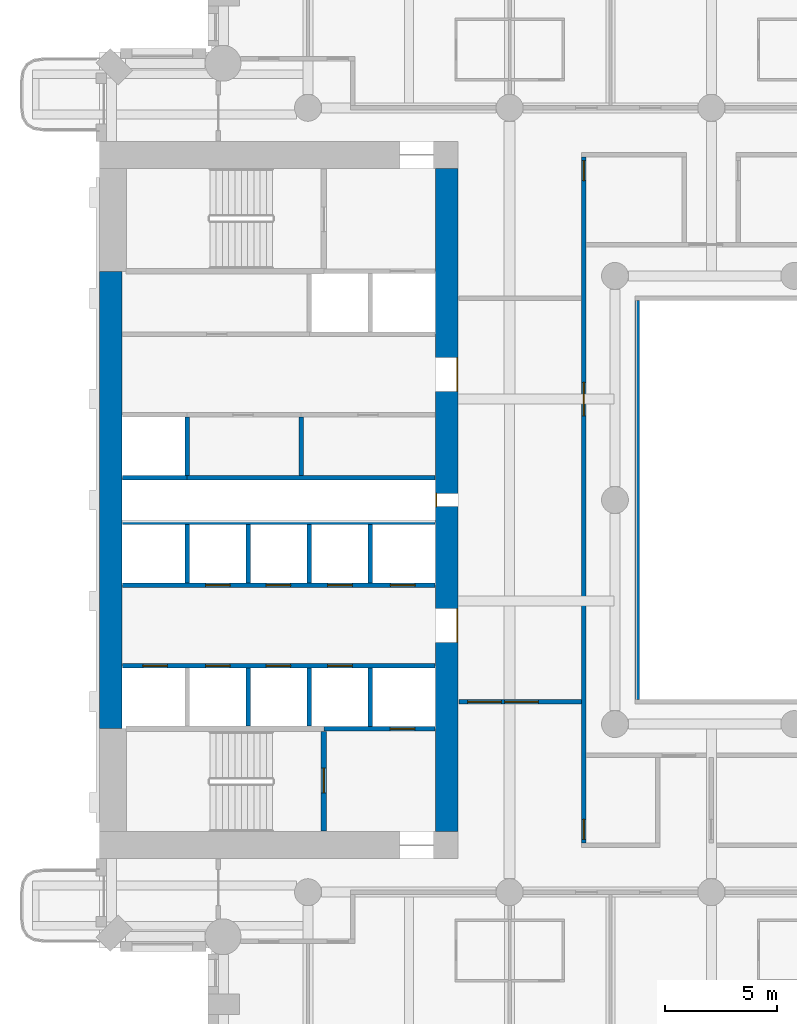
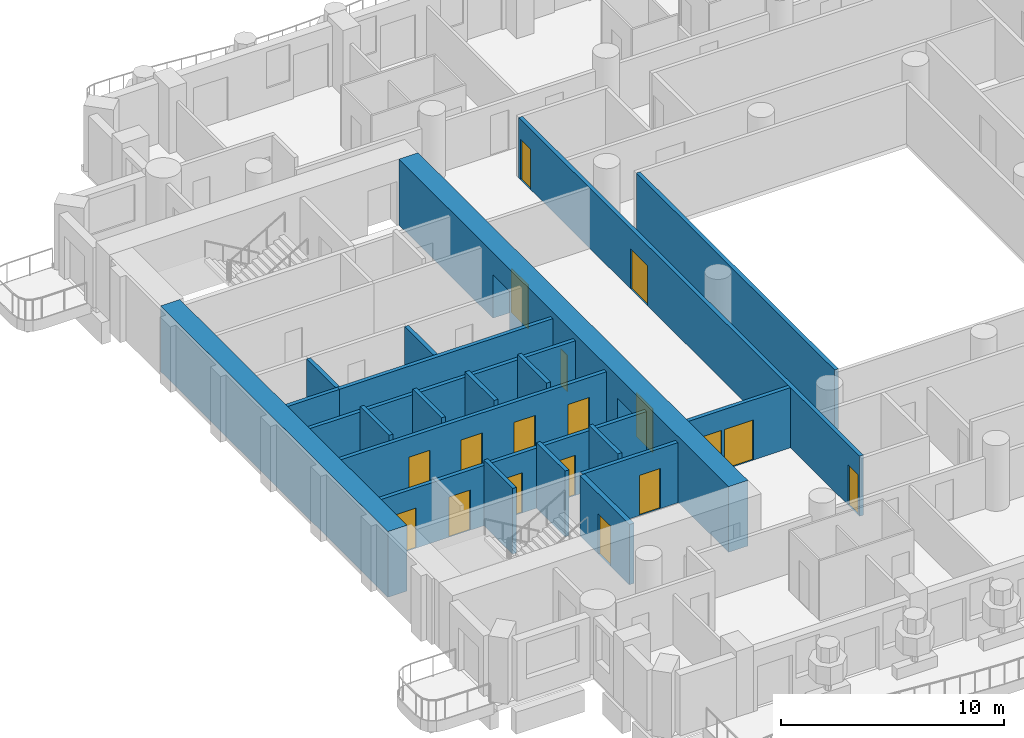
# One storey, part 4 of 20: 21 walls, 18 doors, 18 openings.
"""IFC4 building model written with IfcOpenShell, lengths in metres."""

from ifc_helpers import new_model, si_unit, direction, frame, frame_2d, origin, place, context, subcontext, project, spatial, rectangle, extrude, material, layer, layer_set, type_object, element, fill, save


model = new_model("IFC4")

# Units and contexts
model_context = context("Model", 3, precision=1e-05, world=origin(), true_north=direction((0.0, 1.0)))
body_context = subcontext(model_context, "Body", "Model", "MODEL_VIEW")
ifc_project = project(units=[si_unit("LENGTHUNIT", "METRE"), si_unit("AREAUNIT", "SQUARE_METRE"), si_unit("VOLUMEUNIT", "CUBIC_METRE"), si_unit("PLANEANGLEUNIT", "RADIAN"), si_unit("MASSUNIT", "GRAM", prefix="KILO")], contexts=[model_context])

# Site, building, storey
site_placement = place(None, origin())
site = spatial("IfcSite", under=ifc_project, at=site_placement, CompositionType="ELEMENT")
building_placement = place(site_placement, origin())
building = spatial("IfcBuilding", under=site, at=building_placement, Name="Cypress Arch Tower", CompositionType="ELEMENT")
storey_placement = place(building_placement, frame((0.0, 0.0, 59.10009765625)))
storey = spatial("IfcBuildingStorey", under=building, at=storey_placement, Name="L08", CompositionType="ELEMENT", Elevation=59.10009765625)

# Wall, openings, doors
ifc_material_1 = material(Name="Concrete C80/95", Category="concrete")
ifc_layer_1 = layer(ifc_material_1, 1.0)
ifc_layer_set_1 = layer_set([ifc_layer_1], Name="Core wall CW1000 C80/95")
wall_type_1 = type_object("IfcWallType", Name="Core wall CW1000 C80/95", PredefinedType="SHEAR", material=ifc_layer_set_1)
wall_1_placement = place(storey_placement, frame((-14.5, -14.800048828125, 0.0), z_axis=(0.0, 0.0, 1.0), x_axis=(0.0, 1.0, 0.0)))
wall_1 = element("IfcWall", 1, at=wall_1_placement, inside=storey, type_object=wall_type_1, Name="Core wall", PredefinedType="SHEAR", context=body_context, shape_type="SweptSolid", body=[
    extrude(rectangle(XDim=29.60009765625, YDim=1.0, at=frame_2d((14.800048828125, 0.0))), origin(), (0.0, 0.0, 1.0), 3.599853515625),
])
opening_1_placement = place(wall_1_placement, frame((8.449951171875, 0.0, 0.0)))
opening_1 = element("IfcOpeningElement", 2, at=opening_1_placement, cuts=wall_1, Name="Opening D07", PredefinedType="OPENING", context=body_context, shape_type="SweptSolid", body=[
    extrude(rectangle(XDim=1.5, YDim=2.39990234375, at=frame_2d((0.75, 1.199951171875))), frame((0.0, 0.510009765625, 0.0), z_axis=(0.0, -1.0, 0.0), x_axis=(1.0, 0.0, 0.0)), (0.0, 0.0, 1.0), 1.02001953125),
])
opening_2_placement = place(wall_1_placement, frame((19.64990234375, 0.0, 0.0)))
opening_2 = element("IfcOpeningElement", 3, at=opening_2_placement, cuts=wall_1, Name="Opening D07", PredefinedType="OPENING", context=body_context, shape_type="SweptSolid", body=[
    extrude(rectangle(XDim=1.5, YDim=2.39990234375, at=frame_2d((0.75, 1.199951171875))), frame((0.0, 0.510009765625, 0.0), z_axis=(0.0, -1.0, 0.0), x_axis=(1.0, 0.0, 0.0)), (0.0, 0.0, 1.0), 1.02001953125),
])
opening_3_placement = place(wall_1_placement, frame((14.5, 0.0, 0.0)))
opening_3 = element("IfcOpeningElement", 4, at=opening_3_placement, cuts=wall_1, Name="Opening D08", PredefinedType="OPENING", context=body_context, shape_type="SweptSolid", body=[
    extrude(rectangle(XDim=0.60009765625, YDim=2.0, at=frame_2d((0.300048828125, 1.0))), frame((0.0, 0.510009765625, 0.0), z_axis=(0.0, -1.0, 0.0), x_axis=(1.0, 0.0, 0.0)), (0.0, 0.0, 1.0), 1.02001953125),
])
ifc_material_2 = material(Name="Steel framed glazed door, fire resisting", Category="steel")
door_type_1 = type_object("IfcDoorType", Name="Lobby door D07 1500x2400", OperationType="DOUBLE_DOOR_SINGLE_SWING", PredefinedType="DOOR", material=ifc_material_2)
door_1_placement = place(opening_1_placement, origin())
door_1 = element("IfcDoor", 5, at=door_1_placement, inside=storey, type_object=door_type_1, Name="Lobby door", OperationType="DOUBLE_DOOR_SINGLE_SWING", OverallHeight=2.39990234375, OverallWidth=1.5, PredefinedType="DOOR", context=body_context, shape_type="SweptSolid", body=[
    extrude(rectangle(XDim=1.5, YDim=2.39990234375, at=frame_2d((0.75, 1.199951171875))), frame((0.0, -0.44482421875, 0.0), z_axis=(0.0, -1.0, 0.0), x_axis=(1.0, 0.0, 0.0)), (0.0, 0.0, 1.0), 0.050048828125),
])
fill(opening_1, door_1)
door_2_placement = place(opening_2_placement, origin())
door_2 = element("IfcDoor", 6, at=door_2_placement, inside=storey, type_object=door_type_1, Name="Lobby door", OperationType="DOUBLE_DOOR_SINGLE_SWING", OverallHeight=2.39990234375, OverallWidth=1.5, PredefinedType="DOOR", context=body_context, shape_type="SweptSolid", body=[
    extrude(rectangle(XDim=1.5, YDim=2.39990234375, at=frame_2d((0.75, 1.199951171875))), frame((0.0, -0.44482421875, 0.0), z_axis=(0.0, -1.0, 0.0), x_axis=(1.0, 0.0, 0.0)), (0.0, 0.0, 1.0), 0.050048828125),
])
fill(opening_2, door_2)
ifc_material_3 = material(Name="Steel access door, fire resisting", Category="steel")
door_type_2 = type_object("IfcDoorType", Name="Riser access door D08 600x2000", OperationType="SINGLE_SWING_LEFT", PredefinedType="DOOR", material=ifc_material_3)
door_3_placement = place(opening_3_placement, origin())
door_3 = element("IfcDoor", 7, at=door_3_placement, inside=storey, type_object=door_type_2, Name="Riser access door", OperationType="SINGLE_SWING_RIGHT", OverallHeight=2.0, OverallWidth=0.60009765625, PredefinedType="DOOR", context=body_context, shape_type="SweptSolid", body=[
    extrude(rectangle(XDim=0.60009765625, YDim=2.0, at=frame_2d((0.300048828125, 1.0))), frame((0.0, 0.4951171875, 0.0), z_axis=(0.0, -1.0, 0.0), x_axis=(1.0, 0.0, 0.0)), (0.0, 0.0, 1.0), 0.050048828125),
])
fill(opening_3, door_3)

# Wall
wall_2_placement = place(storey_placement, frame((-29.5, -10.199951171875, 0.0), z_axis=(0.0, 0.0, 1.0), x_axis=(0.0, 1.0, 0.0)))
element("IfcWall", 8, at=wall_2_placement, inside=storey, type_object=wall_type_1, Name="Core wall", PredefinedType="SHEAR", context=body_context, shape_type="SweptSolid", body=[
    extrude(rectangle(XDim=20.39990234375, YDim=1.0, at=frame_2d((10.199951171875, 0.0))), origin(), (0.0, 0.0, 1.0), 3.599853515625),
])

# Wall, openings, doors
ifc_material_4 = material(Name="Concrete blockwork, plastered, rated", Category="masonry")
ifc_layer_2 = layer(ifc_material_4, 0.199951171875)
ifc_layer_set_2 = layer_set([ifc_layer_2], Name="Corridor wall FW200")
wall_type_2 = type_object("IfcWallType", Name="Corridor wall FW200", PredefinedType="PARTITIONING", material=ifc_layer_set_2)
wall_3_placement = place(storey_placement, frame((-13.969970703125, -9.0, 0.0), z_axis=(0.0, 0.0, 1.0), x_axis=(1.0, 0.0, 0.0)))
wall_3 = element("IfcWall", 9, at=wall_3_placement, inside=storey, type_object=wall_type_2, Name="Corridor wall", PredefinedType="PARTITIONING", context=body_context, shape_type="SweptSolid", body=[
    extrude(rectangle(XDim=5.469970703125, YDim=0.199951171875, at=frame_2d((2.73486328125, 0.0))), origin(), (0.0, 0.0, 1.0), 3.2998046875),
])
opening_4_placement = place(wall_3_placement, frame((0.39990234375, 0.0, 0.0)))
opening_4 = element("IfcOpeningElement", 10, at=opening_4_placement, cuts=wall_3, Name="Opening D04", PredefinedType="OPENING", context=body_context, shape_type="SweptSolid", body=[
    extrude(rectangle(XDim=1.5, YDim=2.199951171875, at=frame_2d((0.75, 1.10009765625))), frame((0.0, 0.10986328125, 0.0), z_axis=(0.0, -1.0, 0.0), x_axis=(1.0, 0.0, 0.0)), (0.0, 0.0, 1.0), 0.219970703125),
])
opening_5_placement = place(wall_3_placement, frame((2.050048828125, 0.0, 0.0)))
opening_5 = element("IfcOpeningElement", 11, at=opening_5_placement, cuts=wall_3, Name="Opening D04", PredefinedType="OPENING", context=body_context, shape_type="SweptSolid", body=[
    extrude(rectangle(XDim=1.5, YDim=2.199951171875, at=frame_2d((0.75, 1.10009765625))), frame((0.0, 0.10986328125, 0.0), z_axis=(0.0, -1.0, 0.0), x_axis=(1.0, 0.0, 0.0)), (0.0, 0.0, 1.0), 0.219970703125),
])
ifc_material_5 = material(Name="Timber double door", Category="wood")
door_type_3 = type_object("IfcDoorType", Name="Double door D04 1500x2200", OperationType="DOUBLE_DOOR_SINGLE_SWING", PredefinedType="DOOR", material=ifc_material_5)
door_4_placement = place(opening_4_placement, origin())
door_4 = element("IfcDoor", 12, at=door_4_placement, inside=storey, type_object=door_type_3, Name="Double door", OperationType="DOUBLE_DOOR_SINGLE_SWING", OverallHeight=2.199951171875, OverallWidth=1.5, PredefinedType="DOOR", context=body_context, shape_type="SweptSolid", body=[
    extrude(rectangle(XDim=1.5, YDim=2.199951171875, at=frame_2d((0.75, 1.10009765625))), frame((0.0, 0.02490234375, 0.0), z_axis=(0.0, -1.0, 0.0), x_axis=(1.0, 0.0, 0.0)), (0.0, 0.0, 1.0), 0.050048828125),
])
fill(opening_4, door_4)
door_5_placement = place(opening_5_placement, origin())
door_5 = element("IfcDoor", 13, at=door_5_placement, inside=storey, type_object=door_type_3, Name="Double door", OperationType="DOUBLE_DOOR_SINGLE_SWING", OverallHeight=2.199951171875, OverallWidth=1.5, PredefinedType="DOOR", context=body_context, shape_type="SweptSolid", body=[
    extrude(rectangle(XDim=1.5, YDim=2.199951171875, at=frame_2d((0.75, 1.10009765625))), frame((0.0, 0.02490234375, 0.0), z_axis=(0.0, -1.0, 0.0), x_axis=(1.0, 0.0, 0.0)), (0.0, 0.0, 1.0), 0.050048828125),
])
fill(opening_5, door_5)

wall_4_placement = place(storey_placement, frame((-8.39990234375, -15.300048828125, 0.0), z_axis=(0.0, 0.0, 1.0), x_axis=(0.0, 1.0, 0.0)))
wall_4 = element("IfcWall", 14, at=wall_4_placement, inside=storey, type_object=wall_type_2, Name="Corridor wall", PredefinedType="PARTITIONING", context=body_context, shape_type="SweptSolid", body=[
    extrude(rectangle(XDim=30.60009765625, YDim=0.199951171875, at=frame_2d((15.300048828125, 0.0))), origin(), (0.0, 0.0, 1.0), 3.2998046875),
])
opening_6_placement = place(wall_4_placement, frame((19.050048828125, 0.0, 0.0)))
opening_6 = element("IfcOpeningElement", 15, at=opening_6_placement, cuts=wall_4, Name="Opening D04", PredefinedType="OPENING", context=body_context, shape_type="SweptSolid", body=[
    extrude(rectangle(XDim=1.5, YDim=2.199951171875, at=frame_2d((0.75, 1.10009765625))), frame((0.0, 0.10986328125, 0.0), z_axis=(0.0, -1.0, 0.0), x_axis=(1.0, 0.0, 0.0)), (0.0, 0.0, 1.0), 0.219970703125),
])
opening_7_placement = place(wall_4_placement, frame((29.550048828125, 0.0, 0.0)))
opening_7 = element("IfcOpeningElement", 16, at=opening_7_placement, cuts=wall_4, Name="Opening D05", PredefinedType="OPENING", context=body_context, shape_type="SweptSolid", body=[
    extrude(rectangle(XDim=0.89990234375, YDim=2.199951171875, at=frame_2d((0.449951171875, 1.10009765625))), frame((0.0, 0.10986328125, 0.0), z_axis=(0.0, -1.0, 0.0), x_axis=(1.0, 0.0, 0.0)), (0.0, 0.0, 1.0), 0.219970703125),
])
opening_8_placement = place(wall_4_placement, frame((0.14990234375, 0.0, 0.0)))
opening_8 = element("IfcOpeningElement", 17, at=opening_8_placement, cuts=wall_4, Name="Opening D05", PredefinedType="OPENING", context=body_context, shape_type="SweptSolid", body=[
    extrude(rectangle(XDim=0.89990234375, YDim=2.199951171875, at=frame_2d((0.449951171875, 1.10009765625))), frame((0.0, 0.10986328125, 0.0), z_axis=(0.0, -1.0, 0.0), x_axis=(1.0, 0.0, 0.0)), (0.0, 0.0, 1.0), 0.219970703125),
])
door_6_placement = place(opening_6_placement, origin())
door_6 = element("IfcDoor", 18, at=door_6_placement, inside=storey, type_object=door_type_3, Name="Double door", OperationType="DOUBLE_DOOR_SINGLE_SWING", OverallHeight=2.199951171875, OverallWidth=1.5, PredefinedType="DOOR", context=body_context, shape_type="SweptSolid", body=[
    extrude(rectangle(XDim=1.5, YDim=2.199951171875, at=frame_2d((0.75, 1.10009765625))), frame((0.0, 0.02490234375, 0.0), z_axis=(0.0, -1.0, 0.0), x_axis=(1.0, 0.0, 0.0)), (0.0, 0.0, 1.0), 0.050048828125),
])
fill(opening_6, door_6)
ifc_material_6 = material(Name="Timber flush door", Category="wood")
door_type_4 = type_object("IfcDoorType", Name="Service door D05 900x2200", OperationType="SINGLE_SWING_LEFT", PredefinedType="DOOR", material=ifc_material_6)
door_7_placement = place(opening_7_placement, origin())
door_7 = element("IfcDoor", 19, at=door_7_placement, inside=storey, type_object=door_type_4, Name="Service door", OperationType="SINGLE_SWING_LEFT", OverallHeight=2.199951171875, OverallWidth=0.89990234375, PredefinedType="DOOR", context=body_context, shape_type="SweptSolid", body=[
    extrude(rectangle(XDim=0.89990234375, YDim=2.199951171875, at=frame_2d((0.449951171875, 1.10009765625))), frame((0.0, 0.02490234375, 0.0), z_axis=(0.0, -1.0, 0.0), x_axis=(1.0, 0.0, 0.0)), (0.0, 0.0, 1.0), 0.050048828125),
])
fill(opening_7, door_7)
door_8_placement = place(opening_8_placement, origin())
door_8 = element("IfcDoor", 20, at=door_8_placement, inside=storey, type_object=door_type_4, Name="Service door", OperationType="SINGLE_SWING_RIGHT", OverallHeight=2.199951171875, OverallWidth=0.89990234375, PredefinedType="DOOR", context=body_context, shape_type="SweptSolid", body=[
    extrude(rectangle(XDim=0.89990234375, YDim=2.199951171875, at=frame_2d((0.449951171875, 1.10009765625))), frame((0.0, 0.02490234375, 0.0), z_axis=(0.0, -1.0, 0.0), x_axis=(1.0, 0.0, 0.0)), (0.0, 0.0, 1.0), 0.050048828125),
])
fill(opening_8, door_8)

# Walls
wall_5_placement = place(storey_placement, frame((-6.0, -8.89990234375, 0.0), z_axis=(0.0, 0.0, 1.0), x_axis=(0.0, 1.0, 0.0)))
element("IfcWall", 21, at=wall_5_placement, inside=storey, type_object=wall_type_2, Name="Corridor wall", PredefinedType="PARTITIONING", context=body_context, shape_type="SweptSolid", body=[
    extrude(rectangle(XDim=17.7998046875, YDim=0.199951171875, at=frame_2d((8.89990234375, 0.0))), origin(), (0.0, 0.0, 1.0), 3.2998046875),
])
ifc_material_7 = material(Name="Reinforced blockwork, plastered, rated", Category="masonry")
ifc_layer_3 = layer(ifc_material_7, 0.199951171875)
ifc_layer_set_3 = layer_set([ifc_layer_3], Name="Plant and riser wall PL200")
wall_type_3 = type_object("IfcWallType", Name="Plant and riser wall PL200", PredefinedType="PARTITIONING", material=ifc_layer_set_3)
wall_6_placement = place(storey_placement, frame((-26.10009765625, 1.0, 0.0), z_axis=(0.0, 0.0, 1.0), x_axis=(1.0, 0.0, 0.0)))
element("IfcWall", 22, at=wall_6_placement, inside=storey, type_object=wall_type_3, Name="Plant and riser wall", PredefinedType="PARTITIONING", context=body_context, shape_type="SweptSolid", body=[
    extrude(rectangle(XDim=11.070068359375, YDim=0.199951171875, at=frame_2d((5.53515625, 0.0))), origin(), (0.0, 0.0, 1.0), 3.2998046875),
])
wall_7_placement = place(storey_placement, frame((-21.0, 1.10009765625, 0.0), z_axis=(0.0, 0.0, 1.0), x_axis=(0.0, 1.0, 0.0)))
element("IfcWall", 23, at=wall_7_placement, inside=storey, type_object=wall_type_3, Name="Plant and riser wall", PredefinedType="PARTITIONING", context=body_context, shape_type="SweptSolid", body=[
    extrude(rectangle(XDim=2.599853515625, YDim=0.199951171875, at=frame_2d((1.2998046875, 0.0))), origin(), (0.0, 0.0, 1.0), 3.2998046875),
])

# Wall, openings, doors
ifc_material_8 = material(Name="Concrete C50/60", Category="concrete")
ifc_layer_4 = layer(ifc_material_8, 0.199951171875)
ifc_layer_set_4 = layer_set([ifc_layer_4], Name="Shaft wall SH200")
wall_type_4 = type_object("IfcWallType", Name="Shaft wall SH200", PredefinedType="SHEAR", material=ifc_layer_set_4)
wall_8_placement = place(storey_placement, frame((-28.969970703125, -7.39990234375, 0.0), z_axis=(0.0, 0.0, 1.0), x_axis=(1.0, 0.0, 0.0)))
wall_8 = element("IfcWall", 24, at=wall_8_placement, inside=storey, type_object=wall_type_4, Name="Shaft wall", PredefinedType="SHEAR", context=body_context, shape_type="SweptSolid", body=[
    extrude(rectangle(XDim=13.93994140625, YDim=0.199951171875, at=frame_2d((6.969970703125, 0.0))), origin(), (0.0, 0.0, 1.0), 3.2998046875),
])
opening_9_placement = place(wall_8_placement, frame((0.89990234375, 0.0, 0.0)))
opening_9 = element("IfcOpeningElement", 25, at=opening_9_placement, cuts=wall_8, Name="Opening LD-LR1", PredefinedType="OPENING", context=body_context, shape_type="SweptSolid", body=[
    extrude(rectangle(XDim=1.10009765625, YDim=2.199951171875, at=frame_2d((0.550048828125, 1.10009765625))), frame((0.0, 0.10986328125, 0.0), z_axis=(0.0, -1.0, 0.0), x_axis=(1.0, 0.0, 0.0)), (0.0, 0.0, 1.0), 0.219970703125),
])
opening_10_placement = place(wall_8_placement, frame((3.699951171875, 0.0, 0.0)))
opening_10 = element("IfcOpeningElement", 26, at=opening_10_placement, cuts=wall_8, Name="Opening LD-LR2", PredefinedType="OPENING", context=body_context, shape_type="SweptSolid", body=[
    extrude(rectangle(XDim=1.10009765625, YDim=2.199951171875, at=frame_2d((0.550048828125, 1.10009765625))), frame((0.0, 0.10986328125, 0.0), z_axis=(0.0, -1.0, 0.0), x_axis=(1.0, 0.0, 0.0)), (0.0, 0.0, 1.0), 0.219970703125),
])
opening_11_placement = place(wall_8_placement, frame((6.39990234375, 0.0, 0.0)))
opening_11 = element("IfcOpeningElement", 27, at=opening_11_placement, cuts=wall_8, Name="Opening LD-LR3", PredefinedType="OPENING", context=body_context, shape_type="SweptSolid", body=[
    extrude(rectangle(XDim=1.10009765625, YDim=2.199951171875, at=frame_2d((0.550048828125, 1.10009765625))), frame((0.0, 0.10986328125, 0.0), z_axis=(0.0, -1.0, 0.0), x_axis=(1.0, 0.0, 0.0)), (0.0, 0.0, 1.0), 0.219970703125),
])
opening_12_placement = place(wall_8_placement, frame((9.14990234375, 0.0, 0.0)))
opening_12 = element("IfcOpeningElement", 28, at=opening_12_placement, cuts=wall_8, Name="Opening LD-LR4", PredefinedType="OPENING", context=body_context, shape_type="SweptSolid", body=[
    extrude(rectangle(XDim=1.10009765625, YDim=2.199951171875, at=frame_2d((0.550048828125, 1.10009765625))), frame((0.0, 0.10986328125, 0.0), z_axis=(0.0, -1.0, 0.0), x_axis=(1.0, 0.0, 0.0)), (0.0, 0.0, 1.0), 0.219970703125),
])
ifc_material_9 = material(Name="Stainless steel centre-opening landing door, rated", Category="steel")
door_type_5 = type_object("IfcDoorType", Name="Lift landing door LD 1100x2200", OperationType="DOUBLE_DOOR_SLIDING", PredefinedType="DOOR", material=ifc_material_9)
door_9_placement = place(opening_9_placement, origin())
door_9 = element("IfcDoor", 29, at=door_9_placement, inside=storey, type_object=door_type_5, Name="Lift landing doors LR1", OperationType="DOUBLE_DOOR_SLIDING", OverallHeight=2.199951171875, OverallWidth=1.10009765625, PredefinedType="DOOR", context=body_context, shape_type="SweptSolid", body=[
    extrude(rectangle(XDim=1.10009765625, YDim=2.199951171875, at=frame_2d((0.550048828125, 1.10009765625))), frame((0.0, 0.02490234375, 0.0), z_axis=(0.0, -1.0, 0.0), x_axis=(1.0, 0.0, 0.0)), (0.0, 0.0, 1.0), 0.050048828125),
])
fill(opening_9, door_9)
door_10_placement = place(opening_10_placement, origin())
door_10 = element("IfcDoor", 30, at=door_10_placement, inside=storey, type_object=door_type_5, Name="Lift landing doors LR2", OperationType="DOUBLE_DOOR_SLIDING", OverallHeight=2.199951171875, OverallWidth=1.10009765625, PredefinedType="DOOR", context=body_context, shape_type="SweptSolid", body=[
    extrude(rectangle(XDim=1.10009765625, YDim=2.199951171875, at=frame_2d((0.550048828125, 1.10009765625))), frame((0.0, 0.02490234375, 0.0), z_axis=(0.0, -1.0, 0.0), x_axis=(1.0, 0.0, 0.0)), (0.0, 0.0, 1.0), 0.050048828125),
])
fill(opening_10, door_10)
door_11_placement = place(opening_11_placement, origin())
door_11 = element("IfcDoor", 31, at=door_11_placement, inside=storey, type_object=door_type_5, Name="Lift landing doors LR3", OperationType="DOUBLE_DOOR_SLIDING", OverallHeight=2.199951171875, OverallWidth=1.10009765625, PredefinedType="DOOR", context=body_context, shape_type="SweptSolid", body=[
    extrude(rectangle(XDim=1.10009765625, YDim=2.199951171875, at=frame_2d((0.550048828125, 1.10009765625))), frame((0.0, 0.02490234375, 0.0), z_axis=(0.0, -1.0, 0.0), x_axis=(1.0, 0.0, 0.0)), (0.0, 0.0, 1.0), 0.050048828125),
])
fill(opening_11, door_11)
door_12_placement = place(opening_12_placement, origin())
door_12 = element("IfcDoor", 32, at=door_12_placement, inside=storey, type_object=door_type_5, Name="Lift landing doors LR4", OperationType="DOUBLE_DOOR_SLIDING", OverallHeight=2.199951171875, OverallWidth=1.10009765625, PredefinedType="DOOR", context=body_context, shape_type="SweptSolid", body=[
    extrude(rectangle(XDim=1.10009765625, YDim=2.199951171875, at=frame_2d((0.550048828125, 1.10009765625))), frame((0.0, 0.02490234375, 0.0), z_axis=(0.0, -1.0, 0.0), x_axis=(1.0, 0.0, 0.0)), (0.0, 0.0, 1.0), 0.050048828125),
])
fill(opening_12, door_12)

wall_9_placement = place(storey_placement, frame((-28.969970703125, -3.800048828125, 0.0), z_axis=(0.0, 0.0, 1.0), x_axis=(1.0, 0.0, 0.0)))
wall_9 = element("IfcWall", 33, at=wall_9_placement, inside=storey, type_object=wall_type_4, Name="Shaft wall", PredefinedType="SHEAR", context=body_context, shape_type="SweptSolid", body=[
    extrude(rectangle(XDim=13.93994140625, YDim=0.199951171875, at=frame_2d((6.969970703125, 0.0))), origin(), (0.0, 0.0, 1.0), 3.2998046875),
])
opening_13_placement = place(wall_9_placement, frame((3.699951171875, 0.0, 0.0)))
opening_13 = element("IfcOpeningElement", 34, at=opening_13_placement, cuts=wall_9, Name="Opening LD-LR5", PredefinedType="OPENING", context=body_context, shape_type="SweptSolid", body=[
    extrude(rectangle(XDim=1.10009765625, YDim=2.199951171875, at=frame_2d((0.550048828125, 1.10009765625))), frame((0.0, 0.10986328125, 0.0), z_axis=(0.0, -1.0, 0.0), x_axis=(1.0, 0.0, 0.0)), (0.0, 0.0, 1.0), 0.219970703125),
])
opening_14_placement = place(wall_9_placement, frame((6.39990234375, 0.0, 0.0)))
opening_14 = element("IfcOpeningElement", 35, at=opening_14_placement, cuts=wall_9, Name="Opening LD-LR6", PredefinedType="OPENING", context=body_context, shape_type="SweptSolid", body=[
    extrude(rectangle(XDim=1.10009765625, YDim=2.199951171875, at=frame_2d((0.550048828125, 1.10009765625))), frame((0.0, 0.10986328125, 0.0), z_axis=(0.0, -1.0, 0.0), x_axis=(1.0, 0.0, 0.0)), (0.0, 0.0, 1.0), 0.219970703125),
])
opening_15_placement = place(wall_9_placement, frame((9.14990234375, 0.0, 0.0)))
opening_15 = element("IfcOpeningElement", 36, at=opening_15_placement, cuts=wall_9, Name="Opening LD-LR7", PredefinedType="OPENING", context=body_context, shape_type="SweptSolid", body=[
    extrude(rectangle(XDim=1.10009765625, YDim=2.199951171875, at=frame_2d((0.550048828125, 1.10009765625))), frame((0.0, 0.10986328125, 0.0), z_axis=(0.0, -1.0, 0.0), x_axis=(1.0, 0.0, 0.0)), (0.0, 0.0, 1.0), 0.219970703125),
])
opening_16_placement = place(wall_9_placement, frame((11.949951171875, 0.0, 0.0)))
opening_16 = element("IfcOpeningElement", 37, at=opening_16_placement, cuts=wall_9, Name="Opening LD-LR8", PredefinedType="OPENING", context=body_context, shape_type="SweptSolid", body=[
    extrude(rectangle(XDim=1.10009765625, YDim=2.199951171875, at=frame_2d((0.550048828125, 1.10009765625))), frame((0.0, 0.10986328125, 0.0), z_axis=(0.0, -1.0, 0.0), x_axis=(1.0, 0.0, 0.0)), (0.0, 0.0, 1.0), 0.219970703125),
])
door_13_placement = place(opening_13_placement, origin())
door_13 = element("IfcDoor", 38, at=door_13_placement, inside=storey, type_object=door_type_5, Name="Lift landing doors LR5", OperationType="DOUBLE_DOOR_SLIDING", OverallHeight=2.199951171875, OverallWidth=1.10009765625, PredefinedType="DOOR", context=body_context, shape_type="SweptSolid", body=[
    extrude(rectangle(XDim=1.10009765625, YDim=2.199951171875, at=frame_2d((0.550048828125, 1.10009765625))), frame((0.0, 0.02490234375, 0.0), z_axis=(0.0, -1.0, 0.0), x_axis=(1.0, 0.0, 0.0)), (0.0, 0.0, 1.0), 0.050048828125),
])
fill(opening_13, door_13)
door_14_placement = place(opening_14_placement, origin())
door_14 = element("IfcDoor", 39, at=door_14_placement, inside=storey, type_object=door_type_5, Name="Lift landing doors LR6", OperationType="DOUBLE_DOOR_SLIDING", OverallHeight=2.199951171875, OverallWidth=1.10009765625, PredefinedType="DOOR", context=body_context, shape_type="SweptSolid", body=[
    extrude(rectangle(XDim=1.10009765625, YDim=2.199951171875, at=frame_2d((0.550048828125, 1.10009765625))), frame((0.0, 0.02490234375, 0.0), z_axis=(0.0, -1.0, 0.0), x_axis=(1.0, 0.0, 0.0)), (0.0, 0.0, 1.0), 0.050048828125),
])
fill(opening_14, door_14)
door_15_placement = place(opening_15_placement, origin())
door_15 = element("IfcDoor", 40, at=door_15_placement, inside=storey, type_object=door_type_5, Name="Lift landing doors LR7", OperationType="DOUBLE_DOOR_SLIDING", OverallHeight=2.199951171875, OverallWidth=1.10009765625, PredefinedType="DOOR", context=body_context, shape_type="SweptSolid", body=[
    extrude(rectangle(XDim=1.10009765625, YDim=2.199951171875, at=frame_2d((0.550048828125, 1.10009765625))), frame((0.0, 0.02490234375, 0.0), z_axis=(0.0, -1.0, 0.0), x_axis=(1.0, 0.0, 0.0)), (0.0, 0.0, 1.0), 0.050048828125),
])
fill(opening_15, door_15)
door_16_placement = place(opening_16_placement, origin())
door_16 = element("IfcDoor", 41, at=door_16_placement, inside=storey, type_object=door_type_5, Name="Lift landing doors LR8", OperationType="DOUBLE_DOOR_SLIDING", OverallHeight=2.199951171875, OverallWidth=1.10009765625, PredefinedType="DOOR", context=body_context, shape_type="SweptSolid", body=[
    extrude(rectangle(XDim=1.10009765625, YDim=2.199951171875, at=frame_2d((0.550048828125, 1.10009765625))), frame((0.0, 0.02490234375, 0.0), z_axis=(0.0, -1.0, 0.0), x_axis=(1.0, 0.0, 0.0)), (0.0, 0.0, 1.0), 0.050048828125),
])
fill(opening_16, door_16)

# Walls
wall_10_placement = place(storey_placement, frame((-28.969970703125, -1.0, 0.0), z_axis=(0.0, 0.0, 1.0), x_axis=(1.0, 0.0, 0.0)))
element("IfcWall", 42, at=wall_10_placement, inside=storey, type_object=wall_type_4, Name="Shaft wall", PredefinedType="SHEAR", context=body_context, shape_type="SweptSolid", body=[
    extrude(rectangle(XDim=13.93994140625, YDim=0.199951171875, at=frame_2d((6.969970703125, 0.0))), origin(), (0.0, 0.0, 1.0), 3.2998046875),
])
wall_11_placement = place(storey_placement, frame((-28.969970703125, 1.0, 0.0), z_axis=(0.0, 0.0, 1.0), x_axis=(1.0, 0.0, 0.0)))
element("IfcWall", 43, at=wall_11_placement, inside=storey, type_object=wall_type_4, Name="Shaft wall", PredefinedType="SHEAR", context=body_context, shape_type="SweptSolid", body=[
    extrude(rectangle(XDim=2.869873046875, YDim=0.199951171875, at=frame_2d((1.43505859375, 0.0))), origin(), (0.0, 0.0, 1.0), 3.2998046875),
])
wall_12_placement = place(storey_placement, frame((-26.080078125, -3.699951171875, 0.0), z_axis=(0.0, 0.0, 1.0), x_axis=(0.0, 1.0, 0.0)))
element("IfcWall", 44, at=wall_12_placement, inside=storey, type_object=wall_type_4, Name="Shaft wall", PredefinedType="SHEAR", context=body_context, shape_type="SweptSolid", body=[
    extrude(rectangle(XDim=2.599853515625, YDim=0.199951171875, at=frame_2d((1.2998046875, 0.0))), origin(), (0.0, 0.0, 1.0), 3.599853515625),
])
wall_13_placement = place(storey_placement, frame((-26.080078125, 1.10009765625, 0.0), z_axis=(0.0, 0.0, 1.0), x_axis=(0.0, 1.0, 0.0)))
element("IfcWall", 45, at=wall_13_placement, inside=storey, type_object=wall_type_4, Name="Shaft wall", PredefinedType="SHEAR", context=body_context, shape_type="SweptSolid", body=[
    extrude(rectangle(XDim=2.599853515625, YDim=0.199951171875, at=frame_2d((1.2998046875, 0.0))), origin(), (0.0, 0.0, 1.0), 3.2998046875),
])
wall_14_placement = place(storey_placement, frame((-23.360107421875, -10.074951171875, 0.0), z_axis=(0.0, 0.0, 1.0), x_axis=(0.0, 1.0, 0.0)))
element("IfcWall", 46, at=wall_14_placement, inside=storey, type_object=wall_type_4, Name="Shaft wall", PredefinedType="SHEAR", context=body_context, shape_type="SweptSolid", body=[
    extrude(rectangle(XDim=2.574951171875, YDim=0.199951171875, at=frame_2d((1.28759765625, 0.0))), origin(), (0.0, 0.0, 1.0), 3.599853515625),
])
wall_15_placement = place(storey_placement, frame((-23.360107421875, -3.699951171875, 0.0), z_axis=(0.0, 0.0, 1.0), x_axis=(0.0, 1.0, 0.0)))
element("IfcWall", 47, at=wall_15_placement, inside=storey, type_object=wall_type_4, Name="Shaft wall", PredefinedType="SHEAR", context=body_context, shape_type="SweptSolid", body=[
    extrude(rectangle(XDim=2.599853515625, YDim=0.199951171875, at=frame_2d((1.2998046875, 0.0))), origin(), (0.0, 0.0, 1.0), 3.599853515625),
])
wall_16_placement = place(storey_placement, frame((-20.639892578125, -10.074951171875, 0.0), z_axis=(0.0, 0.0, 1.0), x_axis=(0.0, 1.0, 0.0)))
element("IfcWall", 48, at=wall_16_placement, inside=storey, type_object=wall_type_4, Name="Shaft wall", PredefinedType="SHEAR", context=body_context, shape_type="SweptSolid", body=[
    extrude(rectangle(XDim=2.574951171875, YDim=0.199951171875, at=frame_2d((1.28759765625, 0.0))), origin(), (0.0, 0.0, 1.0), 3.599853515625),
])
wall_17_placement = place(storey_placement, frame((-20.639892578125, -3.699951171875, 0.0), z_axis=(0.0, 0.0, 1.0), x_axis=(0.0, 1.0, 0.0)))
element("IfcWall", 49, at=wall_17_placement, inside=storey, type_object=wall_type_4, Name="Shaft wall", PredefinedType="SHEAR", context=body_context, shape_type="SweptSolid", body=[
    extrude(rectangle(XDim=2.599853515625, YDim=0.199951171875, at=frame_2d((1.2998046875, 0.0))), origin(), (0.0, 0.0, 1.0), 3.599853515625),
])

# Wall, opening, door
wall_18_placement = place(storey_placement, frame((-19.97998046875, -10.199951171875, 0.0), z_axis=(0.0, 0.0, 1.0), x_axis=(1.0, 0.0, 0.0)))
wall_18 = element("IfcWall", 50, at=wall_18_placement, inside=storey, type_object=wall_type_4, Name="Shaft wall", PredefinedType="SHEAR", context=body_context, shape_type="SweptSolid", body=[
    extrude(rectangle(XDim=4.949951171875, YDim=0.199951171875, at=frame_2d((2.47509765625, 0.0))), origin(), (0.0, 0.0, 1.0), 3.2998046875),
])
opening_17_placement = place(wall_18_placement, frame((2.949951171875, 0.0, 0.0)))
opening_17 = element("IfcOpeningElement", 51, at=opening_17_placement, cuts=wall_18, Name="Opening LD-FL1", PredefinedType="OPENING", context=body_context, shape_type="SweptSolid", body=[
    extrude(rectangle(XDim=1.10009765625, YDim=2.199951171875, at=frame_2d((0.550048828125, 1.10009765625))), frame((0.0, 0.10986328125, 0.0), z_axis=(0.0, -1.0, 0.0), x_axis=(1.0, 0.0, 0.0)), (0.0, 0.0, 1.0), 0.219970703125),
])
door_17_placement = place(opening_17_placement, origin())
door_17 = element("IfcDoor", 52, at=door_17_placement, inside=storey, type_object=door_type_5, Name="Lift landing doors FL1", OperationType="DOUBLE_DOOR_SLIDING", OverallHeight=2.199951171875, OverallWidth=1.10009765625, PredefinedType="DOOR", context=body_context, shape_type="SweptSolid", body=[
    extrude(rectangle(XDim=1.10009765625, YDim=2.199951171875, at=frame_2d((0.550048828125, 1.10009765625))), frame((0.0, 0.02490234375, 0.0), z_axis=(0.0, -1.0, 0.0), x_axis=(1.0, 0.0, 0.0)), (0.0, 0.0, 1.0), 0.050048828125),
])
fill(opening_17, door_17)

# Walls
wall_19_placement = place(storey_placement, frame((-17.919921875, -10.10009765625, 0.0), z_axis=(0.0, 0.0, 1.0), x_axis=(0.0, 1.0, 0.0)))
element("IfcWall", 53, at=wall_19_placement, inside=storey, type_object=wall_type_4, Name="Shaft wall", PredefinedType="SHEAR", context=body_context, shape_type="SweptSolid", body=[
    extrude(rectangle(XDim=2.60009765625, YDim=0.199951171875, at=frame_2d((1.300048828125, 0.0))), origin(), (0.0, 0.0, 1.0), 3.599853515625),
])
wall_20_placement = place(storey_placement, frame((-17.919921875, -3.699951171875, 0.0), z_axis=(0.0, 0.0, 1.0), x_axis=(0.0, 1.0, 0.0)))
element("IfcWall", 54, at=wall_20_placement, inside=storey, type_object=wall_type_4, Name="Shaft wall", PredefinedType="SHEAR", context=body_context, shape_type="SweptSolid", body=[
    extrude(rectangle(XDim=2.599853515625, YDim=0.199951171875, at=frame_2d((1.2998046875, 0.0))), origin(), (0.0, 0.0, 1.0), 3.599853515625),
])

# Wall, opening, door
ifc_material_10 = material(Name="Concrete C50/60", Category="concrete")
ifc_layer_5 = layer(ifc_material_10, 0.25)
ifc_layer_set_5 = layer_set([ifc_layer_5], Name="Stair enclosure wall SW250")
wall_type_5 = type_object("IfcWallType", Name="Stair enclosure wall SW250", PredefinedType="SHEAR", material=ifc_layer_set_5)
wall_21_placement = place(storey_placement, frame((-20.0, -14.77001953125, 0.0), z_axis=(0.0, 0.0, 1.0), x_axis=(0.0, 1.0, 0.0)))
wall_21 = element("IfcWall", 55, at=wall_21_placement, inside=storey, type_object=wall_type_5, Name="Stair enclosure wall", PredefinedType="SHEAR", context=body_context, shape_type="SweptSolid", body=[
    extrude(rectangle(XDim=4.445068359375, YDim=0.25, at=frame_2d((2.22265625, 0.0))), origin(), (0.0, 0.0, 1.0), 3.2998046875),
])
opening_18_placement = place(wall_21_placement, frame((1.699951171875, 0.0, 0.0)))
opening_18 = element("IfcOpeningElement", 56, at=opening_18_placement, cuts=wall_21, Name="Opening D06", PredefinedType="OPENING", context=body_context, shape_type="SweptSolid", body=[
    extrude(rectangle(XDim=1.10009765625, YDim=2.199951171875, at=frame_2d((0.550048828125, 1.10009765625))), frame((0.0, 0.135009765625, 0.0), z_axis=(0.0, -1.0, 0.0), x_axis=(1.0, 0.0, 0.0)), (0.0, 0.0, 1.0), 0.27001953125),
])
ifc_material_11 = material(Name="Steel door, fire resisting, panic bar", Category="steel")
door_type_6 = type_object("IfcDoorType", Name="Stair door D06 1100x2200", OperationType="SINGLE_SWING_LEFT", PredefinedType="DOOR", material=ifc_material_11)
door_18_placement = place(opening_18_placement, origin())
door_18 = element("IfcDoor", 57, at=door_18_placement, inside=storey, type_object=door_type_6, Name="Stair door", OperationType="SINGLE_SWING_RIGHT", OverallHeight=2.199951171875, OverallWidth=1.10009765625, PredefinedType="DOOR", context=body_context, shape_type="SweptSolid", body=[
    extrude(rectangle(XDim=1.10009765625, YDim=2.199951171875, at=frame_2d((0.550048828125, 1.10009765625))), frame((0.0, 0.02490234375, 0.0), z_axis=(0.0, -1.0, 0.0), x_axis=(1.0, 0.0, 0.0)), (0.0, 0.0, 1.0), 0.050048828125),
])
fill(opening_18, door_18)

save(model, "model.ifc")
